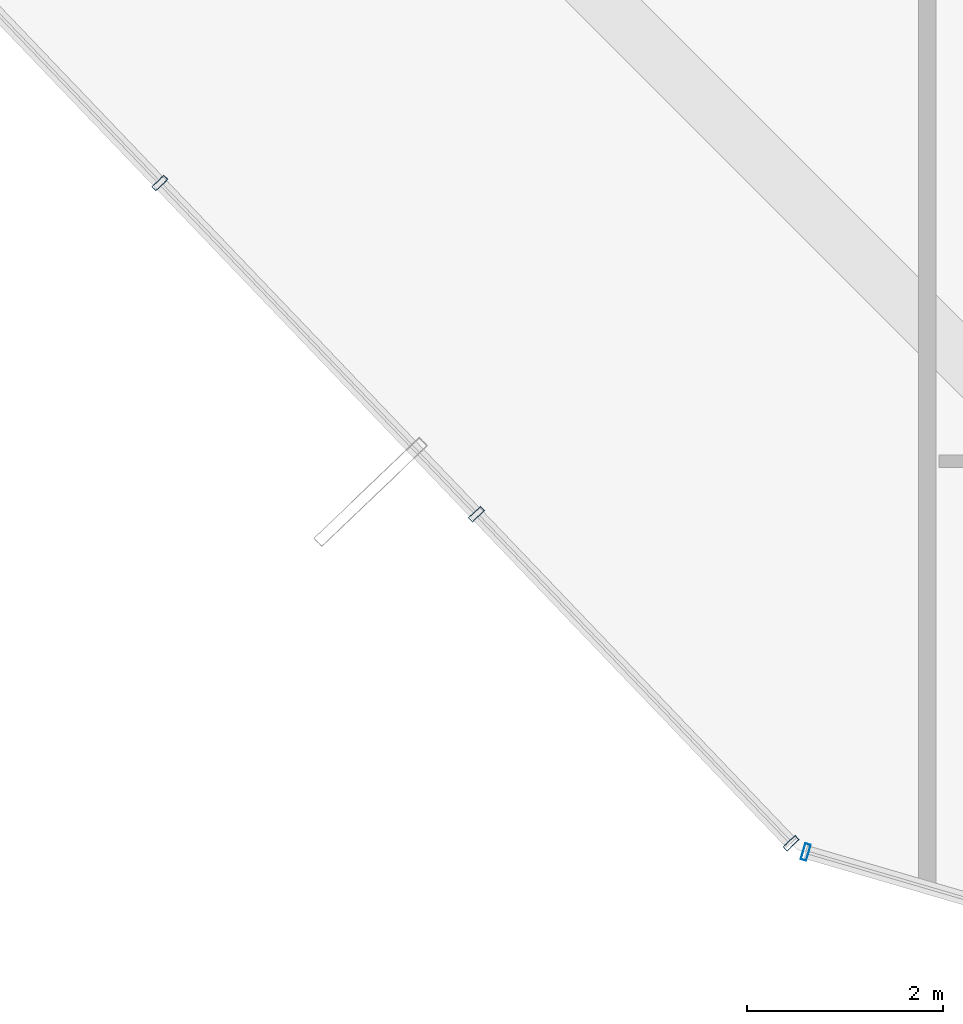
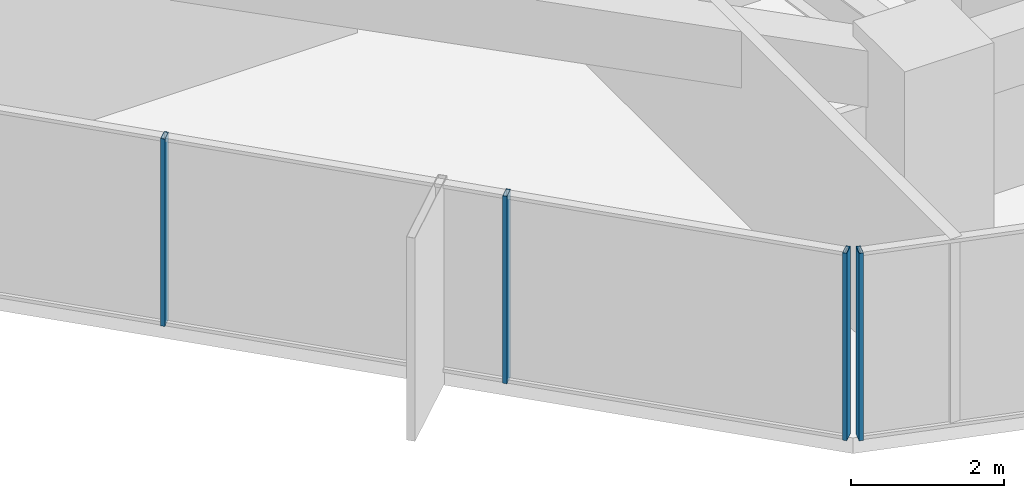
# One storey, part 2 of 37: 4 members, 2 elements without a shape of their own.
"""IFC4 building model written with IfcOpenShell, lengths in metres."""

from ifc_helpers import new_model, si_unit, direction, frame, origin, origin_2d, place, context, subcontext, project, spatial, hollow_rectangle, extrude, source, transform, mapped, material, layer, layer_set, material_profile, profile_set, type_object, element, aggregate, save


model = new_model("IFC4")

# Units and contexts
model_context = context("Model", 3, precision=1e-05, world=origin(), true_north=direction((0.0, 1.0)))
body_context = subcontext(model_context, "Body", "Model", "MODEL_VIEW")
ifc_project = project(units=[si_unit("LENGTHUNIT", "METRE"), si_unit("AREAUNIT", "SQUARE_METRE"), si_unit("VOLUMEUNIT", "CUBIC_METRE"), si_unit("PLANEANGLEUNIT", "RADIAN"), si_unit("MASSUNIT", "GRAM", prefix="KILO")], contexts=[model_context])

# Site, building, storey
site_placement = place(None, origin())
site = spatial("IfcSite", under=ifc_project, at=site_placement, CompositionType="ELEMENT")
building_placement = place(site_placement, origin())
building = spatial("IfcBuilding", under=site, at=building_placement, Name="Veraguas Prism Commons", CompositionType="ELEMENT")
storey_placement = place(building_placement, frame((0.0, 0.0, 70.60009765625)))
storey = spatial("IfcBuildingStorey", under=building, at=storey_placement, Name="L19", CompositionType="ELEMENT", Elevation=70.60009765625)

# Curtain wall, members
ifc_material = material(Name="Anodised aluminium EN AW-6063 T6", Category="aluminium")
ifc_layer = layer(ifc_material, 0.169921875, Name="Unitised Flush Curtain Wall Zone 1", Category="aluminium")
ifc_layer_set = layer_set([ifc_layer], Name="Anodised aluminium EN AW-6063 T6")
curtain_wall_type = type_object("IfcCurtainWallType", Name="Unitised Flush Curtain Wall Zone 1", PredefinedType="NOTDEFINED", material=ifc_layer_set)
curtain_wall_1_placement = place(storey_placement, origin())
curtain_wall_1 = element("IfcCurtainWall", 1, at=curtain_wall_1_placement, inside=storey, type_object=curtain_wall_type, Name="Tower Facade Curtain Wall L19-F4", PredefinedType="NOTDEFINED")
ifc_material_profile = material_profile(ifc_material, hollow_rectangle(XDim=0.06005859375, YDim=0.169921875, WallThickness=0.00390625, at=origin_2d()), Name="AL60X170X4")
ifc_profile_set = profile_set([ifc_material_profile], Name="Anodised aluminium EN AW-6063 T6")
member_type = type_object("IfcMemberType", Name="Curtain Wall Mullion Lower AL 60x170x4", PredefinedType="MULLION", material=ifc_profile_set)
shared_shape = source(origin(), body_context, "Body", "SweptSolid", [
    extrude(hollow_rectangle(XDim=0.06005859375, YDim=0.169921875, WallThickness=0.00390625, at=origin_2d()), origin(), (0.0, 0.0, 1.0), 3.0),
])
member_1_placement = place(storey_placement, frame((8.978515625, 9.635009765625, 0.0), z_axis=(0.0, 0.0, 1.0), x_axis=(0.691135993516, -0.722724732154, 0.0)))
member_1 = element("IfcMember", 2, at=member_1_placement, type_object=member_type, Name="CW-Z1 Mullion 3", PredefinedType="MULLION", context=body_context, shape_type="MappedRepresentation", body=[
    mapped(shared_shape, transform((0.0, 0.0, 0.0), scale=1.0)),
])
member_2_placement = place(storey_placement, frame((12.20654296875, 6.25927734375, 0.0), z_axis=(0.0, 0.0, 1.0), x_axis=(0.691135993516, -0.722724732154, 0.0)))
member_2 = element("IfcMember", 3, at=member_2_placement, type_object=member_type, Name="CW-Z1 Mullion 4", PredefinedType="MULLION", context=body_context, shape_type="MappedRepresentation", body=[
    mapped(shared_shape, transform((0.0, 0.0, 0.0), scale=1.0)),
])
member_3_placement = place(storey_placement, frame((15.4140625, 2.905029296875, 0.0), z_axis=(0.0, 0.0, 1.0), x_axis=(0.691135993516, -0.722724732154, 0.0)))
member_3 = element("IfcMember", 4, at=member_3_placement, type_object=member_type, Name="CW-Z1 Mullion 5", PredefinedType="MULLION", context=body_context, shape_type="MappedRepresentation", body=[
    mapped(shared_shape, transform((0.0, 0.0, 0.0), scale=1.0)),
])
aggregate(curtain_wall_1, [member_1, member_2, member_3])

# Curtain wall, member
curtain_wall_2_placement = place(storey_placement, origin())
curtain_wall_2 = element("IfcCurtainWall", 5, at=curtain_wall_2_placement, inside=storey, type_object=curtain_wall_type, Name="Chamfer Curtain Wall L19-C5", PredefinedType="NOTDEFINED")
member_4_placement = place(storey_placement, frame((15.562744140625, 2.814697265625, 0.0), z_axis=(0.0, 0.0, 1.0), x_axis=(0.95990075827, -0.280340033303, 0.0)))
member_4 = element("IfcMember", 6, at=member_4_placement, type_object=member_type, Name="CW-Z1 Mullion 1", PredefinedType="MULLION", context=body_context, shape_type="MappedRepresentation", body=[
    mapped(shared_shape, transform((0.0, 0.0, 0.0), scale=1.0)),
])
aggregate(curtain_wall_2, [member_4])

save(model, "model.ifc")
